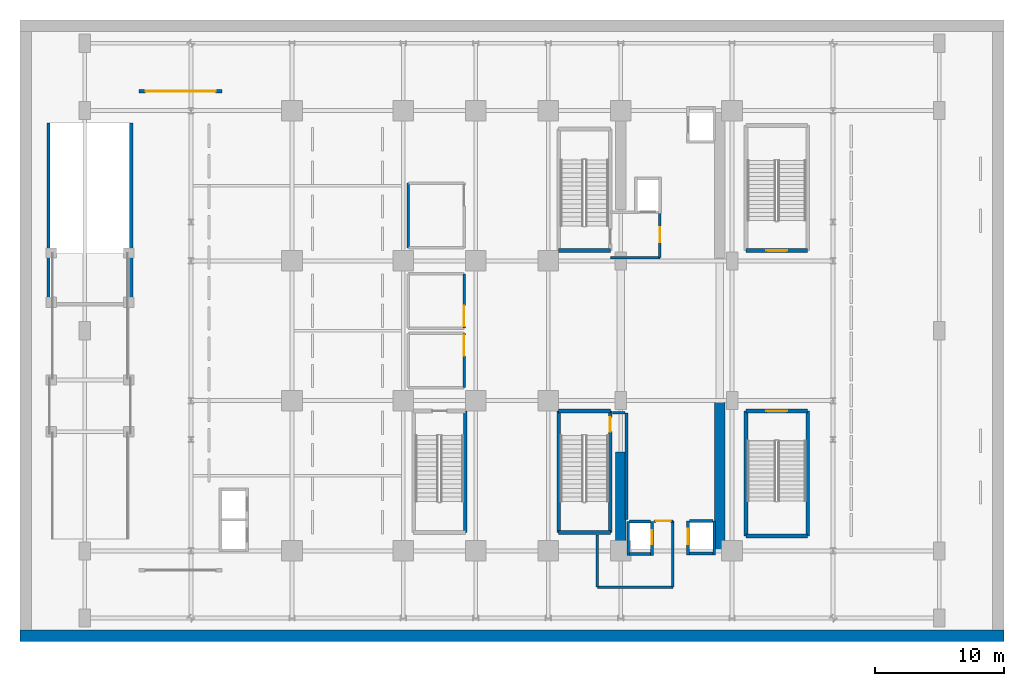
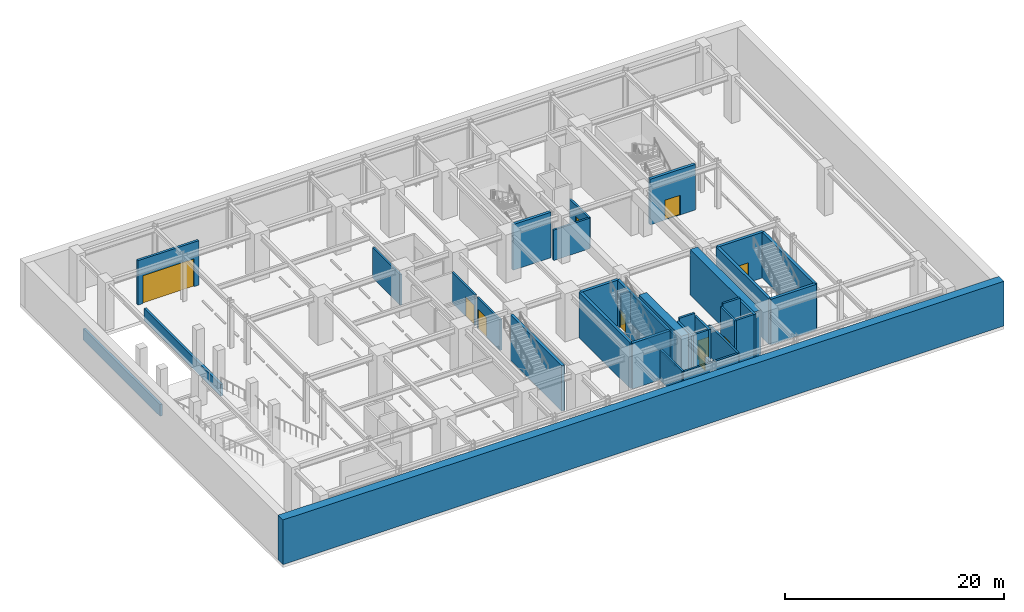
# One storey, part 6 of 10: 36 walls, 10 doors, 10 openings.
"""IFC4 building model written with IfcOpenShell, lengths in metres."""

from ifc_helpers import new_model, si_unit, direction, frame, frame_2d, origin, place, context, subcontext, project, spatial, rectangle, extrude, source, transform, mapped, material, layer, layer_set, type_object, element, fill, save


model = new_model("IFC4")

# Units and contexts
model_context = context("Model", 3, precision=1e-05, world=origin(), true_north=direction((0.0, 1.0)))
body_context = subcontext(model_context, "Body", "Model", "MODEL_VIEW")
ifc_project = project(units=[si_unit("LENGTHUNIT", "METRE"), si_unit("AREAUNIT", "SQUARE_METRE"), si_unit("VOLUMEUNIT", "CUBIC_METRE"), si_unit("PLANEANGLEUNIT", "RADIAN"), si_unit("MASSUNIT", "GRAM", prefix="KILO")], contexts=[model_context])

# Site, building, storey
site_placement = place(None, origin())
site = spatial("IfcSite", under=ifc_project, at=site_placement, CompositionType="ELEMENT")
building_placement = place(site_placement, origin())
building = spatial("IfcBuilding", under=site, at=building_placement, Name="Nahalor Promenade Grand Hotel", CompositionType="ELEMENT")
storey_placement = place(building_placement, frame((0.0, 0.0, -5.39990234375)))
storey = spatial("IfcBuildingStorey", under=building, at=storey_placement, Name="B01", CompositionType="ELEMENT", Elevation=-5.39990234375)

# Walls
ifc_material_1 = material(Name="Concrete B-50 (C40/50)", Category="concrete")
ifc_layer_1 = layer(ifc_material_1, 0.89990234375)
ifc_layer_set_1 = layer_set([ifc_layer_1], Name="Concrete B-50 (C40/50)")
wall_type_1 = type_object("IfcWallType", Name="Wall-Diaphragm-900", PredefinedType="SHEAR", material=ifc_layer_set_1)
shared_shape_1 = source(origin(), body_context, "Body", "SweptSolid", [
    extrude(rectangle(XDim=76.0, YDim=0.89990234375, at=frame_2d((38.0, 0.0))), origin(), (0.0, 0.0, 1.0), 4.97998046875),
])
wall_1_placement = place(storey_placement, frame((-38.0, -23.550048828125, 0.0), z_axis=(0.0, 0.0, 1.0), x_axis=(1.0, 0.0, 0.0)))
element("IfcWall", 1, at=wall_1_placement, inside=storey, type_object=wall_type_1, Name="DW-B01-S", PredefinedType="SHEAR", context=body_context, shape_type="MappedRepresentation", body=[
    mapped(shared_shape_1, transform((0.0, 0.0, 0.0), scale=1.0)),
])
ifc_material_2 = material(Name="Concrete B-70 (C60/75)", Category="concrete")
ifc_layer_2 = layer(ifc_material_2, 0.800048828125)
ifc_layer_set_2 = layer_set([ifc_layer_2], Name="Concrete B-70 (C60/75)")
wall_type_2 = type_object("IfcWallType", Name="Wall-CoreShear-800", PredefinedType="SHEAR", material=ifc_layer_set_2)
shared_shape_2 = source(origin(), body_context, "Body", "SweptSolid", [
    extrude(rectangle(XDim=7.64990234375, YDim=0.800048828125, at=frame_2d((3.824951171875, 0.0))), origin(), (0.0, 0.0, 1.0), 5.079833984375),
])
wall_2_placement = place(storey_placement, frame((8.39990234375, -17.0, 0.0), z_axis=(0.0, 0.0, 1.0), x_axis=(0.0, 1.0, 0.0)))
element("IfcWall", 2, at=wall_2_placement, inside=storey, type_object=wall_type_2, Name="CWALL-B01-SW", PredefinedType="SHEAR", context=body_context, shape_type="MappedRepresentation", body=[
    mapped(shared_shape_2, transform((0.0, 0.0, 0.0), scale=1.0)),
])
shared_shape_3 = source(origin(), body_context, "Body", "SweptSolid", [
    extrude(rectangle(XDim=11.60009765625, YDim=0.800048828125, at=frame_2d((5.800048828125, 0.0))), origin(), (0.0, 0.0, 1.0), 5.079833984375),
])
wall_3_placement = place(storey_placement, frame((16.050048828125, -17.0, 0.0), z_axis=(0.0, 0.0, 1.0), x_axis=(0.0, 1.0, 0.0)))
element("IfcWall", 3, at=wall_3_placement, inside=storey, type_object=wall_type_2, Name="CWALL-B01-SE", PredefinedType="SHEAR", context=body_context, shape_type="MappedRepresentation", body=[
    mapped(shared_shape_3, transform((0.0, 0.0, 0.0), scale=1.0)),
])
ifc_layer_3 = layer(ifc_material_1, 0.300048828125)
ifc_layer_set_3 = layer_set([ifc_layer_3], Name="Concrete B-50 (C40/50)")
wall_type_3 = type_object("IfcWallType", Name="Wall-ShaftShear-300", PredefinedType="SHEAR", material=ifc_layer_set_3)
shared_shape_4 = source(origin(), body_context, "Body", "SweptSolid", [
    extrude(rectangle(XDim=3.97998046875, YDim=0.300048828125, at=frame_2d((1.989990234375, 0.0))), origin(), (0.0, 0.0, 1.0), 5.079833984375),
])
for number, where, z_axis, x_axis, name in (
    (4, (3.610107421875, 6.2099609375, 0.0), (0.0, 0.0, 1.0), (1.0, 0.0, 0.0), "B01 Exit Stair ST1 Shaft Wall S"),
    (5, (3.610107421875, -15.590087890625, 0.0), (0.0, 0.0, 1.0), (1.0, 0.0, 0.0), "B01 Exit Stair ST2 Shaft Wall S"),
    (6, (3.610107421875, -6.2099609375, 0.0), (0.0, 0.0, 1.0), (1.0, 0.0, 0.0), "B01 Exit Stair ST2 Shaft Wall N"),
):
    element("IfcWall", number, at=place(storey_placement, frame(where, z_axis=z_axis, x_axis=x_axis)), inside=storey, type_object=wall_type_3, Name=name, PredefinedType="SHEAR", context=body_context, shape_type="MappedRepresentation", body=[
        mapped(shared_shape_4, transform((0.0, 0.0, 0.0), scale=1.0)),
    ])
shared_shape_5 = source(origin(), body_context, "Body", "SweptSolid", [
    extrude(rectangle(XDim=9.380126953125, YDim=0.300048828125, at=frame_2d((4.68994140625, 0.0))), origin(), (0.0, 0.0, 1.0), 5.079833984375),
])
wall_4_placement = place(storey_placement, frame((3.610107421875, -15.590087890625, 0.0), z_axis=(0.0, 0.0, 1.0), x_axis=(0.0, 1.0, 0.0)))
element("IfcWall", 7, at=wall_4_placement, inside=storey, type_object=wall_type_3, Name="B01 Exit Stair ST2 Shaft Wall W", PredefinedType="SHEAR", context=body_context, shape_type="MappedRepresentation", body=[
    mapped(shared_shape_5, transform((0.0, 0.0, 0.0), scale=1.0)),
])

# Wall, opening, door
wall_5_placement = place(storey_placement, frame((7.590087890625, -15.590087890625, 0.0), z_axis=(0.0, 0.0, 1.0), x_axis=(0.0, 1.0, 0.0)))
wall_5 = element("IfcWall", 8, at=wall_5_placement, inside=storey, type_object=wall_type_3, Name="B01 Exit Stair ST2 Shaft Wall E", PredefinedType="SHEAR", context=body_context, shape_type="MappedRepresentation", body=[
    mapped(shared_shape_5, transform((0.0, 0.0, 0.0), scale=1.0)),
])
opening_1_placement = place(wall_5_placement, frame((7.7900390625, 0.0, 0.0)))
opening_1 = element("IfcOpeningElement", 9, at=opening_1_placement, cuts=wall_5, Name="Opening D-ST1", PredefinedType="OPENING", context=body_context, shape_type="SweptSolid", body=[
    extrude(rectangle(XDim=1.10009765625, YDim=2.14990234375, at=frame_2d((0.550048828125, 1.074951171875))), frame((0.0, 0.159912109375, 0.0), z_axis=(0.0, -1.0, 0.0), x_axis=(1.0, 0.0, 0.0)), (0.0, 0.0, 1.0), 0.320068359375),
])
ifc_material_3 = material(Name="Steel S355JR", Category="steel")
door_type_1 = type_object("IfcDoorType", Name="Door-StairFire-1100", OperationType="NOTDEFINED", PredefinedType="DOOR", material=ifc_material_3)
shared_shape_6 = source(origin(), body_context, "Body", "SweptSolid", [
    extrude(rectangle(XDim=1.10009765625, YDim=2.14990234375, at=frame_2d((0.550048828125, 1.074951171875))), frame((0.0, 0.02490234375, 0.0), z_axis=(0.0, -1.0, 0.0), x_axis=(1.0, 0.0, 0.0)), (0.0, 0.0, 1.0), 0.050048828125),
])
door_1_placement = place(opening_1_placement, origin())
door_1 = element("IfcDoor", 10, at=door_1_placement, inside=storey, type_object=door_type_1, Name="DR-STAIR-ST2-B01", OperationType="SINGLE_SWING_RIGHT", OverallHeight=2.14990234375, OverallWidth=1.10009765625, PredefinedType="DOOR", context=body_context, shape_type="MappedRepresentation", body=[
    mapped(shared_shape_6, transform((0.0, 0.0, 0.0), scale=1.0)),
])
fill(opening_1, door_1)

# Wall
wall_6_placement = place(storey_placement, frame((-3.610107421875, -15.590087890625, 0.0), z_axis=(0.0, 0.0, 1.0), x_axis=(0.0, 1.0, 0.0)))
element("IfcWall", 11, at=wall_6_placement, inside=storey, type_object=wall_type_3, Name="B01 Exit Stair ST3 Shaft Wall E", PredefinedType="SHEAR", context=body_context, shape_type="MappedRepresentation", body=[
    mapped(shared_shape_5, transform((0.0, 0.0, 0.0), scale=1.0)),
])

# Wall, opening, door
shared_shape_7 = source(origin(), body_context, "Body", "SweptSolid", [
    extrude(rectangle(XDim=4.780029296875, YDim=0.300048828125, at=frame_2d((2.39013671875, 0.0))), origin(), (0.0, 0.0, 1.0), 5.079833984375),
])
wall_7_placement = place(storey_placement, frame((18.06005859375, 6.2099609375, 0.0), z_axis=(0.0, 0.0, 1.0), x_axis=(1.0, 0.0, 0.0)))
wall_7 = element("IfcWall", 12, at=wall_7_placement, inside=storey, type_object=wall_type_3, Name="B01 Exit Stair ST4 Shaft Wall S", PredefinedType="SHEAR", context=body_context, shape_type="MappedRepresentation", body=[
    mapped(shared_shape_7, transform((0.0, 0.0, 0.0), scale=1.0)),
])
opening_2_placement = place(wall_7_placement, frame((1.590087890625, 0.0, 0.0)))
opening_2 = element("IfcOpeningElement", 13, at=opening_2_placement, cuts=wall_7, Name="Opening D-ST2", PredefinedType="OPENING", context=body_context, shape_type="SweptSolid", body=[
    extrude(rectangle(XDim=1.60009765625, YDim=2.199951171875, at=frame_2d((0.800048828125, 1.10009765625))), frame((0.0, 0.159912109375, 0.0), z_axis=(0.0, -1.0, 0.0), x_axis=(1.0, 0.0, 0.0)), (0.0, 0.0, 1.0), 0.320068359375),
])
door_type_2 = type_object("IfcDoorType", Name="Door-StairGrand-1600", OperationType="DOUBLE_DOOR_SINGLE_SWING", PredefinedType="DOOR", material=ifc_material_3)
shared_shape_8 = source(origin(), body_context, "Body", "SweptSolid", [
    extrude(rectangle(XDim=1.60009765625, YDim=2.199951171875, at=frame_2d((0.800048828125, 1.10009765625))), frame((0.0, 0.02490234375, 0.0), z_axis=(0.0, -1.0, 0.0), x_axis=(1.0, 0.0, 0.0)), (0.0, 0.0, 1.0), 0.050048828125),
])
door_2_placement = place(opening_2_placement, origin())
door_2 = element("IfcDoor", 14, at=door_2_placement, inside=storey, type_object=door_type_2, Name="DR-STAIR-ST4-B01", OperationType="DOUBLE_DOOR_SINGLE_SWING", OverallHeight=2.199951171875, OverallWidth=1.60009765625, PredefinedType="DOOR", context=body_context, shape_type="MappedRepresentation", body=[
    mapped(shared_shape_8, transform((0.0, 0.0, 0.0), scale=1.0)),
])
fill(opening_2, door_2)

# Wall
wall_8_placement = place(storey_placement, frame((18.06005859375, -15.840087890625, 0.0), z_axis=(0.0, 0.0, 1.0), x_axis=(1.0, 0.0, 0.0)))
element("IfcWall", 15, at=wall_8_placement, inside=storey, type_object=wall_type_3, Name="B01 Exit Stair ST5 Shaft Wall S", PredefinedType="SHEAR", context=body_context, shape_type="MappedRepresentation", body=[
    mapped(shared_shape_7, transform((0.0, 0.0, 0.0), scale=1.0)),
])

# Wall, opening, door
wall_9_placement = place(storey_placement, frame((18.06005859375, -6.2099609375, 0.0), z_axis=(0.0, 0.0, 1.0), x_axis=(1.0, 0.0, 0.0)))
wall_9 = element("IfcWall", 16, at=wall_9_placement, inside=storey, type_object=wall_type_3, Name="B01 Exit Stair ST5 Shaft Wall N", PredefinedType="SHEAR", context=body_context, shape_type="MappedRepresentation", body=[
    mapped(shared_shape_7, transform((0.0, 0.0, 0.0), scale=1.0)),
])
opening_3_placement = place(wall_9_placement, frame((1.590087890625, 0.0, 0.0)))
opening_3 = element("IfcOpeningElement", 17, at=opening_3_placement, cuts=wall_9, Name="Opening D-ST2", PredefinedType="OPENING", context=body_context, shape_type="SweptSolid", body=[
    extrude(rectangle(XDim=1.60009765625, YDim=2.199951171875, at=frame_2d((0.800048828125, 1.10009765625))), frame((0.0, 0.159912109375, 0.0), z_axis=(0.0, -1.0, 0.0), x_axis=(1.0, 0.0, 0.0)), (0.0, 0.0, 1.0), 0.320068359375),
])
door_3_placement = place(opening_3_placement, frame((1.60009765625, 0.0, 0.0), z_axis=(0.0, 0.0, 1.0), x_axis=(-1.0, 0.0, 0.0)))
door_3 = element("IfcDoor", 18, at=door_3_placement, inside=storey, type_object=door_type_2, Name="DR-STAIR-ST5-B01", OperationType="DOUBLE_DOOR_SINGLE_SWING", OverallHeight=2.199951171875, OverallWidth=1.60009765625, PredefinedType="DOOR", context=body_context, shape_type="MappedRepresentation", body=[
    mapped(shared_shape_8, transform((0.0, 0.0, 0.0), scale=1.0)),
])
fill(opening_3, door_3)

# Walls
shared_shape_9 = source(origin(), body_context, "Body", "SweptSolid", [
    extrude(rectangle(XDim=9.630126953125, YDim=0.300048828125, at=frame_2d((4.81494140625, 0.0))), origin(), (0.0, 0.0, 1.0), 5.079833984375),
])
for number, where, z_axis, x_axis, name in (
    (19, (18.06005859375, -15.840087890625, 0.0), (0.0, 0.0, 1.0), (0.0, 1.0, 0.0), "B01 Exit Stair ST5 Shaft Wall W"),
    (20, (22.840087890625, -15.840087890625, 0.0), (0.0, 0.0, 1.0), (0.0, 1.0, 0.0), "B01 Exit Stair ST5 Shaft Wall E"),
):
    element("IfcWall", number, at=place(storey_placement, frame(where, z_axis=z_axis, x_axis=x_axis)), inside=storey, type_object=wall_type_3, Name=name, PredefinedType="SHEAR", context=body_context, shape_type="MappedRepresentation", body=[
        mapped(shared_shape_9, transform((0.0, 0.0, 0.0), scale=1.0)),
    ])
ifc_layer_4 = layer(ifc_material_1, 0.219970703125)
ifc_layer_set_4 = layer_set([ifc_layer_4], Name="Concrete B-50 (C40/50)")
wall_type_4 = type_object("IfcWallType", Name="Wall-LiftShaft-220", PredefinedType="SHEAR", material=ifc_layer_set_4)
shared_shape_10 = source(origin(), body_context, "Body", "SweptSolid", [
    extrude(rectangle(XDim=1.820068359375, YDim=0.219970703125, at=frame_2d((0.91015625, 0.0))), origin(), (0.0, 0.0, 1.0), 5.39990234375),
])
wall_10_placement = place(storey_placement, frame((13.68994140625, -14.699951171875, 0.0), z_axis=(0.0, 0.0, 1.0), x_axis=(1.0, 0.0, 0.0)))
element("IfcWall", 21, at=wall_10_placement, inside=storey, type_object=wall_type_4, Name="B01 Lift SV2 Hoistway Wall N", PredefinedType="SHEAR", context=body_context, shape_type="MappedRepresentation", body=[
    mapped(shared_shape_10, transform((0.0, 0.0, 0.0), scale=1.0)),
])
shared_shape_11 = source(origin(), body_context, "Body", "SweptSolid", [
    extrude(rectangle(XDim=2.635009765625, YDim=0.219970703125, at=frame_2d((1.3173828125, 0.0))), origin(), (0.0, 0.0, 1.0), 5.079833984375),
])
wall_11_placement = place(storey_placement, frame((8.97998046875, -17.360107421875, 0.0), z_axis=(0.0, 0.0, 1.0), x_axis=(0.0, 1.0, 0.0)))
element("IfcWall", 22, at=wall_11_placement, inside=storey, type_object=wall_type_4, Name="B01 Lift FL2 Hoistway Wall W", PredefinedType="SHEAR", context=body_context, shape_type="MappedRepresentation", body=[
    mapped(shared_shape_11, transform((0.0, 0.0, 0.0), scale=1.0)),
])

# Wall, opening, door
wall_12_placement = place(storey_placement, frame((10.820068359375, -17.360107421875, 0.0), z_axis=(0.0, 0.0, 1.0), x_axis=(0.0, 1.0, 0.0)))
wall_12 = element("IfcWall", 23, at=wall_12_placement, inside=storey, type_object=wall_type_4, Name="B01 Lift FL2 Hoistway Wall E", PredefinedType="SHEAR", context=body_context, shape_type="MappedRepresentation", body=[
    mapped(shared_shape_11, transform((0.0, 0.0, 0.0), scale=1.0)),
])
opening_4_placement = place(wall_12_placement, frame((0.860107421875, 0.0, 0.0)))
opening_4 = element("IfcOpeningElement", 24, at=opening_4_placement, cuts=wall_12, Name="Opening LD-02", PredefinedType="OPENING", context=body_context, shape_type="SweptSolid", body=[
    extrude(rectangle(XDim=1.10009765625, YDim=2.199951171875, at=frame_2d((0.550048828125, 1.10009765625))), frame((0.0, 0.119873046875, 0.0), z_axis=(0.0, -1.0, 0.0), x_axis=(1.0, 0.0, 0.0)), (0.0, 0.0, 1.0), 0.239990234375),
])
door_type_3 = type_object("IfcDoorType", Name="Door-LiftFF-1100", OperationType="DOUBLE_DOOR_SLIDING", PredefinedType="DOOR", material=ifc_material_3)
shared_shape_12 = source(origin(), body_context, "Body", "SweptSolid", [
    extrude(rectangle(XDim=1.10009765625, YDim=2.199951171875, at=frame_2d((0.550048828125, 1.10009765625))), frame((0.0, 0.02490234375, 0.0), z_axis=(0.0, -1.0, 0.0), x_axis=(1.0, 0.0, 0.0)), (0.0, 0.0, 1.0), 0.050048828125),
])
door_4_placement = place(opening_4_placement, frame((1.10009765625, 0.0, 0.0), z_axis=(0.0, 0.0, 1.0), x_axis=(-1.0, 0.0, 0.0)))
door_4 = element("IfcDoor", 25, at=door_4_placement, inside=storey, type_object=door_type_3, Name="DR-LIFT-FL2-B01", OperationType="DOUBLE_DOOR_SLIDING", OverallHeight=2.199951171875, OverallWidth=1.10009765625, PredefinedType="DOOR", context=body_context, shape_type="MappedRepresentation", body=[
    mapped(shared_shape_12, transform((0.0, 0.0, 0.0), scale=1.0)),
])
fill(opening_4, door_4)

# Walls
shared_shape_13 = source(origin(), body_context, "Body", "SweptSolid", [
    extrude(rectangle(XDim=1.619873046875, YDim=0.219970703125, at=frame_2d((0.81005859375, 0.0))), origin(), (0.0, 0.0, 1.0), 5.079833984375),
])
wall_13_placement = place(storey_placement, frame((9.090087890625, -17.25, 0.0), z_axis=(0.0, 0.0, 1.0), x_axis=(1.0, 0.0, 0.0)))
element("IfcWall", 26, at=wall_13_placement, inside=storey, type_object=wall_type_4, Name="B01 Lift FL2 Hoistway Wall S", PredefinedType="SHEAR", context=body_context, shape_type="MappedRepresentation", body=[
    mapped(shared_shape_13, transform((0.0, 0.0, 0.0), scale=1.0)),
])
shared_shape_14 = source(origin(), body_context, "Body", "SweptSolid", [
    extrude(rectangle(XDim=1.619873046875, YDim=0.219970703125, at=frame_2d((0.81005859375, 0.0))), origin(), (0.0, 0.0, 1.0), 5.39990234375),
])
wall_14_placement = place(storey_placement, frame((9.090087890625, -14.72509765625, 0.0), z_axis=(0.0, 0.0, 1.0), x_axis=(1.0, 0.0, 0.0)))
element("IfcWall", 27, at=wall_14_placement, inside=storey, type_object=wall_type_4, Name="B01 Lift FL2 Hoistway Wall N", PredefinedType="SHEAR", context=body_context, shape_type="MappedRepresentation", body=[
    mapped(shared_shape_14, transform((0.0, 0.0, 0.0), scale=1.0)),
])
shared_shape_15 = source(origin(), body_context, "Body", "SweptSolid", [
    extrude(rectangle(XDim=1.820068359375, YDim=0.219970703125, at=frame_2d((0.91015625, 0.0))), origin(), (0.0, 0.0, 1.0), 5.079833984375),
])
wall_15_placement = place(storey_placement, frame((13.68994140625, -17.199951171875, 0.0), z_axis=(0.0, 0.0, 1.0), x_axis=(1.0, 0.0, 0.0)))
element("IfcWall", 28, at=wall_15_placement, inside=storey, type_object=wall_type_4, Name="B01 Lift SV2 Hoistway Wall S", PredefinedType="SHEAR", context=body_context, shape_type="MappedRepresentation", body=[
    mapped(shared_shape_15, transform((0.0, 0.0, 0.0), scale=1.0)),
])

# Wall, opening, door
shared_shape_16 = source(origin(), body_context, "Body", "SweptSolid", [
    extrude(rectangle(XDim=2.610107421875, YDim=0.219970703125, at=frame_2d((1.30517578125, 0.0))), origin(), (0.0, 0.0, 1.0), 5.079833984375),
])
wall_16_placement = place(storey_placement, frame((13.580078125, -17.31005859375, 0.0), z_axis=(0.0, 0.0, 1.0), x_axis=(0.0, 1.0, 0.0)))
wall_16 = element("IfcWall", 29, at=wall_16_placement, inside=storey, type_object=wall_type_4, Name="B01 Lift SV2 Hoistway Wall W", PredefinedType="SHEAR", context=body_context, shape_type="MappedRepresentation", body=[
    mapped(shared_shape_16, transform((0.0, 0.0, 0.0), scale=1.0)),
])
opening_5_placement = place(wall_16_placement, frame((0.81005859375, 0.0, 0.0)))
opening_5 = element("IfcOpeningElement", 30, at=opening_5_placement, cuts=wall_16, Name="Opening LD-03", PredefinedType="OPENING", context=body_context, shape_type="SweptSolid", body=[
    extrude(rectangle(XDim=1.199951171875, YDim=2.199951171875, at=frame_2d((0.60009765625, 1.10009765625))), frame((0.0, 0.119873046875, 0.0), z_axis=(0.0, -1.0, 0.0), x_axis=(1.0, 0.0, 0.0)), (0.0, 0.0, 1.0), 0.239990234375),
])
door_type_4 = type_object("IfcDoorType", Name="Door-LiftService-1200", OperationType="DOUBLE_DOOR_SLIDING", PredefinedType="DOOR", material=ifc_material_3)
shared_shape_17 = source(origin(), body_context, "Body", "SweptSolid", [
    extrude(rectangle(XDim=1.199951171875, YDim=2.199951171875, at=frame_2d((0.60009765625, 1.10009765625))), frame((0.0, 0.02490234375, 0.0), z_axis=(0.0, -1.0, 0.0), x_axis=(1.0, 0.0, 0.0)), (0.0, 0.0, 1.0), 0.050048828125),
])
door_5_placement = place(opening_5_placement, origin())
door_5 = element("IfcDoor", 31, at=door_5_placement, inside=storey, type_object=door_type_4, Name="DR-LIFT-SV2-B01", OperationType="DOUBLE_DOOR_SLIDING", OverallHeight=2.199951171875, OverallWidth=1.199951171875, PredefinedType="DOOR", context=body_context, shape_type="MappedRepresentation", body=[
    mapped(shared_shape_17, transform((0.0, 0.0, 0.0), scale=1.0)),
])
fill(opening_5, door_5)

# Walls
wall_17_placement = place(storey_placement, frame((15.6201171875, -17.31005859375, 0.0), z_axis=(0.0, 0.0, 1.0), x_axis=(0.0, 1.0, 0.0)))
element("IfcWall", 32, at=wall_17_placement, inside=storey, type_object=wall_type_4, Name="B01 Lift SV2 Hoistway Wall E", PredefinedType="SHEAR", context=body_context, shape_type="MappedRepresentation", body=[
    mapped(shared_shape_16, transform((0.0, 0.0, 0.0), scale=1.0)),
])
ifc_layer_5 = layer(ifc_material_1, 0.25)
ifc_layer_set_5 = layer_set([ifc_layer_5], Name="Concrete B-50 (C40/50)")
wall_type_5 = type_object("IfcWallType", Name="Wall-RampKerb-250", PredefinedType="PARTITIONING", material=ifc_layer_set_5)
shared_shape_18 = source(origin(), body_context, "Body", "SweptSolid", [
    extrude(rectangle(XDim=14.0, YDim=0.25, at=frame_2d((7.0, 0.0))), origin(), (0.0, 0.0, 1.0), 1.2998046875),
])
for number, where, z_axis, x_axis, name in (
    (33, (-35.800048828125, 2.050048828125, 0.0), (0.0, 0.0, 1.0), (0.0, 1.0, 0.0), "W-RWELL-B01-W"),
    (34, (-29.39990234375, 2.050048828125, 0.0), (0.0, 0.0, 1.0), (0.0, 1.0, 0.0), "W-RWELL-B01-E"),
):
    element("IfcWall", number, at=place(storey_placement, frame(where, z_axis=z_axis, x_axis=x_axis)), inside=storey, type_object=wall_type_5, Name=name, PredefinedType="PARTITIONING", context=body_context, shape_type="MappedRepresentation", body=[
        mapped(shared_shape_18, transform((0.0, 0.0, 0.0), scale=1.0)),
    ])

# Wall, opening, door
shared_shape_19 = source(origin(), body_context, "Body", "SweptSolid", [
    extrude(rectangle(XDim=6.400146484375, YDim=0.25, at=frame_2d((3.2001953125, 0.0))), origin(), (0.0, 0.0, 1.0), 4.949951171875),
])
wall_18_placement = place(storey_placement, frame((-28.800048828125, 18.5, 0.0), z_axis=(0.0, 0.0, 1.0), x_axis=(1.0, 0.0, 0.0)))
wall_18 = element("IfcWall", 35, at=wall_18_placement, inside=storey, type_object=wall_type_5, Name="B01 Car Park Smoke Compartment Wall 4", PredefinedType="PARTITIONING", context=body_context, shape_type="MappedRepresentation", body=[
    mapped(shared_shape_19, transform((0.0, 0.0, 0.0), scale=1.0)),
])
opening_6_placement = place(wall_18_placement, frame((0.5, 0.0, 0.0)))
opening_6 = element("IfcOpeningElement", 36, at=opening_6_placement, cuts=wall_18, Name="Opening RG-01", PredefinedType="OPENING", context=body_context, shape_type="SweptSolid", body=[
    extrude(rectangle(XDim=5.39990234375, YDim=3.10009765625, at=frame_2d((2.699951171875, 1.550048828125))), frame((0.0, 0.135009765625, 0.0), z_axis=(0.0, -1.0, 0.0), x_axis=(1.0, 0.0, 0.0)), (0.0, 0.0, 1.0), 0.27001953125),
])
door_type_5 = type_object("IfcDoorType", Name="Door-BasementGate-5400", OperationType="ROLLINGUP", PredefinedType="GATE", material=ifc_material_3)
shared_shape_20 = source(origin(), body_context, "Body", "SweptSolid", [
    extrude(rectangle(XDim=5.39990234375, YDim=3.10009765625, at=frame_2d((2.699951171875, 1.550048828125))), frame((0.0, 0.02490234375, 0.0), z_axis=(0.0, -1.0, 0.0), x_axis=(1.0, 0.0, 0.0)), (0.0, 0.0, 1.0), 0.050048828125),
])
door_6_placement = place(opening_6_placement, origin())
door_6 = element("IfcDoor", 37, at=door_6_placement, inside=storey, type_object=door_type_5, Name="DR-BGATE-B01-4", OperationType="ROLLINGUP", OverallHeight=3.10009765625, OverallWidth=5.39990234375, PredefinedType="GATE", context=body_context, shape_type="MappedRepresentation", body=[
    mapped(shared_shape_20, transform((0.0, 0.0, 0.0), scale=1.0)),
])
fill(opening_6, door_6)

# Wall
ifc_material_4 = material(Name="Concrete B-40 (C32/40)", Category="concrete")
ifc_layer_6 = layer(ifc_material_4, 0.199951171875)
ifc_layer_set_6 = layer_set([ifc_layer_6], Name="Concrete B-40 (C32/40)")
wall_type_6 = type_object("IfcWallType", Name="Wall-PartFire-200", PredefinedType="PARTITIONING", material=ifc_layer_set_6)
shared_shape_21 = source(origin(), body_context, "Body", "SweptSolid", [
    extrude(rectangle(XDim=3.81982421875, YDim=0.199951171875, at=frame_2d((1.909912109375, 0.0))), origin(), (0.0, 0.0, 1.0), 3.39990234375),
])
wall_19_placement = place(storey_placement, frame((7.60009765625, 5.64990234375, 0.0), z_axis=(0.0, 0.0, 1.0), x_axis=(1.0, 0.0, 0.0)))
element("IfcWall", 38, at=wall_19_placement, inside=storey, type_object=wall_type_6, Name="W-B01-FF1-S", PredefinedType="PARTITIONING", context=body_context, shape_type="MappedRepresentation", body=[
    mapped(shared_shape_21, transform((0.0, 0.0, 0.0), scale=1.0)),
])

# Wall, opening, door
shared_shape_22 = source(origin(), body_context, "Body", "SweptSolid", [
    extrude(rectangle(XDim=3.5, YDim=0.199951171875, at=frame_2d((1.75, 0.0))), origin(), (0.0, 0.0, 1.0), 3.39990234375),
])
wall_20_placement = place(storey_placement, frame((11.419921875, 5.64990234375, 0.0), z_axis=(0.0, 0.0, 1.0), x_axis=(0.0, 1.0, 0.0)))
wall_20 = element("IfcWall", 39, at=wall_20_placement, inside=storey, type_object=wall_type_6, Name="W-B01-FF1-E", PredefinedType="PARTITIONING", context=body_context, shape_type="MappedRepresentation", body=[
    mapped(shared_shape_22, transform((0.0, 0.0, 0.0), scale=1.0)),
])
opening_7_placement = place(wall_20_placement, frame((1.175048828125, 0.0, 0.0)))
opening_7 = element("IfcOpeningElement", 40, at=opening_7_placement, cuts=wall_20, Name="Opening D-FF1", PredefinedType="OPENING", context=body_context, shape_type="SweptSolid", body=[
    extrude(rectangle(XDim=1.14990234375, YDim=2.14990234375, at=frame_2d((0.574951171875, 1.074951171875))), frame((0.0, 0.10986328125, 0.0), z_axis=(0.0, -1.0, 0.0), x_axis=(1.0, 0.0, 0.0)), (0.0, 0.0, 1.0), 0.219970703125),
])
door_type_6 = type_object("IfcDoorType", Name="Door-FFLobby-1150", OperationType="NOTDEFINED", PredefinedType="DOOR", material=ifc_material_3)
shared_shape_23 = source(origin(), body_context, "Body", "SweptSolid", [
    extrude(rectangle(XDim=1.14990234375, YDim=2.14990234375, at=frame_2d((0.574951171875, 1.074951171875))), frame((0.0, 0.02490234375, 0.0), z_axis=(0.0, -1.0, 0.0), x_axis=(1.0, 0.0, 0.0)), (0.0, 0.0, 1.0), 0.050048828125),
])
door_7_placement = place(opening_7_placement, frame((1.14990234375, 0.0, 0.0), z_axis=(0.0, 0.0, 1.0), x_axis=(-1.0, 0.0, 0.0)))
door_7 = element("IfcDoor", 41, at=door_7_placement, inside=storey, type_object=door_type_6, Name="DR-B01-FFL1", OperationType="SINGLE_SWING_RIGHT", OverallHeight=2.14990234375, OverallWidth=1.14990234375, PredefinedType="DOOR", context=body_context, shape_type="MappedRepresentation", body=[
    mapped(shared_shape_23, transform((0.0, 0.0, 0.0), scale=1.0)),
])
fill(opening_7, door_7)

# Walls
shared_shape_24 = source(origin(), body_context, "Body", "SweptSolid", [
    extrude(rectangle(XDim=5.81982421875, YDim=0.199951171875, at=frame_2d((2.909912109375, 0.0))), origin(), (0.0, 0.0, 1.0), 3.39990234375),
])
wall_21_placement = place(storey_placement, frame((6.60009765625, -19.800048828125, 0.0), z_axis=(0.0, 0.0, 1.0), x_axis=(1.0, 0.0, 0.0)))
element("IfcWall", 42, at=wall_21_placement, inside=storey, type_object=wall_type_6, Name="W-B01-FF2-S1", PredefinedType="PARTITIONING", context=body_context, shape_type="MappedRepresentation", body=[
    mapped(shared_shape_24, transform((0.0, 0.0, 0.0), scale=1.0)),
])
shared_shape_25 = source(origin(), body_context, "Body", "SweptSolid", [
    extrude(rectangle(XDim=4.030029296875, YDim=0.199951171875, at=frame_2d((2.01513671875, 0.0))), origin(), (0.0, 0.0, 1.0), 3.39990234375),
])
wall_22_placement = place(storey_placement, frame((6.60009765625, -19.800048828125, 0.0), z_axis=(0.0, 0.0, 1.0), x_axis=(0.0, 1.0, 0.0)))
element("IfcWall", 43, at=wall_22_placement, inside=storey, type_object=wall_type_6, Name="W-B01-FF2-W1", PredefinedType="PARTITIONING", context=body_context, shape_type="MappedRepresentation", body=[
    mapped(shared_shape_25, transform((0.0, 0.0, 0.0), scale=1.0)),
])
shared_shape_26 = source(origin(), body_context, "Body", "SweptSolid", [
    extrude(rectangle(XDim=5.10009765625, YDim=0.199951171875, at=frame_2d((2.550048828125, 0.0))), origin(), (0.0, 0.0, 1.0), 3.39990234375),
])
wall_23_placement = place(storey_placement, frame((12.419921875, -19.800048828125, 0.0), z_axis=(0.0, 0.0, 1.0), x_axis=(0.0, 1.0, 0.0)))
element("IfcWall", 44, at=wall_23_placement, inside=storey, type_object=wall_type_6, Name="W-B01-FF2-E", PredefinedType="PARTITIONING", context=body_context, shape_type="MappedRepresentation", body=[
    mapped(shared_shape_26, transform((0.0, 0.0, 0.0), scale=1.0)),
])

# Wall, opening, door
shared_shape_27 = source(origin(), body_context, "Body", "SweptSolid", [
    extrude(rectangle(XDim=1.4599609375, YDim=0.199951171875, at=frame_2d((0.72998046875, 0.0))), origin(), (0.0, 0.0, 1.0), 3.39990234375),
])
wall_24_placement = place(storey_placement, frame((10.9599609375, -14.699951171875, 0.0), z_axis=(0.0, 0.0, 1.0), x_axis=(1.0, 0.0, 0.0)))
wall_24 = element("IfcWall", 45, at=wall_24_placement, inside=storey, type_object=wall_type_6, Name="W-B01-FF2-N1", PredefinedType="PARTITIONING", context=body_context, shape_type="MappedRepresentation", body=[
    mapped(shared_shape_27, transform((0.0, 0.0, 0.0), scale=1.0)),
])
opening_8_placement = place(wall_24_placement, frame((0.14501953125, 0.0, 0.0)))
opening_8 = element("IfcOpeningElement", 46, at=opening_8_placement, cuts=wall_24, Name="Opening D-FF1", PredefinedType="OPENING", context=body_context, shape_type="SweptSolid", body=[
    extrude(rectangle(XDim=1.14990234375, YDim=2.14990234375, at=frame_2d((0.574951171875, 1.074951171875))), frame((0.0, 0.10986328125, 0.0), z_axis=(0.0, -1.0, 0.0), x_axis=(1.0, 0.0, 0.0)), (0.0, 0.0, 1.0), 0.219970703125),
])
door_8_placement = place(opening_8_placement, origin())
door_8 = element("IfcDoor", 47, at=door_8_placement, inside=storey, type_object=door_type_6, Name="DR-B01-FFL2", OperationType="SINGLE_SWING_LEFT", OverallHeight=2.14990234375, OverallWidth=1.14990234375, PredefinedType="DOOR", context=body_context, shape_type="MappedRepresentation", body=[
    mapped(shared_shape_23, transform((0.0, 0.0, 0.0), scale=1.0)),
])
fill(opening_8, door_8)

# Walls
shared_shape_28 = source(origin(), body_context, "Body", "SweptSolid", [
    extrude(rectangle(XDim=0.969970703125, YDim=0.199951171875, at=frame_2d((0.48486328125, 0.0))), origin(), (0.0, 0.0, 1.0), 3.39990234375),
])
wall_25_placement = place(storey_placement, frame((7.77001953125, -6.35009765625, 0.0), z_axis=(0.0, 0.0, 1.0), x_axis=(1.0, 0.0, 0.0)))
element("IfcWall", 48, at=wall_25_placement, inside=storey, type_object=wall_type_6, Name="W-B01-FF2-N2", PredefinedType="PARTITIONING", context=body_context, shape_type="MappedRepresentation", body=[
    mapped(shared_shape_28, transform((0.0, 0.0, 0.0), scale=1.0)),
])
shared_shape_29 = source(origin(), body_context, "Body", "SweptSolid", [
    extrude(rectangle(XDim=8.22998046875, YDim=0.199951171875, at=frame_2d((4.114990234375, 0.0))), origin(), (0.0, 0.0, 1.0), 3.39990234375),
])
wall_26_placement = place(storey_placement, frame((8.840087890625, -14.580078125, 0.0), z_axis=(0.0, 0.0, 1.0), x_axis=(0.0, 1.0, 0.0)))
element("IfcWall", 49, at=wall_26_placement, inside=storey, type_object=wall_type_6, Name="W-B01-FF2-M", PredefinedType="PARTITIONING", context=body_context, shape_type="MappedRepresentation", body=[
    mapped(shared_shape_29, transform((0.0, 0.0, 0.0), scale=1.0)),
])

# Wall, opening, door
shared_shape_30 = source(origin(), body_context, "Body", "SweptSolid", [
    extrude(rectangle(XDim=4.199951171875, YDim=0.199951171875, at=frame_2d((2.10009765625, 0.0))), origin(), (0.0, 0.0, 1.0), 3.39990234375),
])
wall_27_placement = place(storey_placement, frame((-3.699951171875, -4.39990234375, 0.0), z_axis=(0.0, 0.0, 1.0), x_axis=(0.0, 1.0, 0.0)))
wall_27 = element("IfcWall", 50, at=wall_27_placement, inside=storey, type_object=wall_type_6, Name="W-B01-BPL1-E", PredefinedType="PARTITIONING", context=body_context, shape_type="MappedRepresentation", body=[
    mapped(shared_shape_30, transform((0.0, 0.0, 0.0), scale=1.0)),
])
opening_9_placement = place(wall_27_placement, frame((2.4619140625, 0.0, 0.0)))
opening_9 = element("IfcOpeningElement", 51, at=opening_9_placement, cuts=wall_27, Name="Opening D-06", PredefinedType="OPENING", context=body_context, shape_type="SweptSolid", body=[
    extrude(rectangle(XDim=1.60009765625, YDim=2.14990234375, at=frame_2d((0.800048828125, 1.074951171875))), frame((0.0, 0.10986328125, 0.0), z_axis=(0.0, -1.0, 0.0), x_axis=(1.0, 0.0, 0.0)), (0.0, 0.0, 1.0), 0.219970703125),
])
door_type_7 = type_object("IfcDoorType", Name="Door-PlantDouble-1600", OperationType="DOUBLE_DOOR_SINGLE_SWING", PredefinedType="DOOR", material=ifc_material_3)
shared_shape_31 = source(origin(), body_context, "Body", "SweptSolid", [
    extrude(rectangle(XDim=1.60009765625, YDim=2.14990234375, at=frame_2d((0.800048828125, 1.074951171875))), frame((0.0, 0.02490234375, 0.0), z_axis=(0.0, -1.0, 0.0), x_axis=(1.0, 0.0, 0.0)), (0.0, 0.0, 1.0), 0.050048828125),
])
door_9_placement = place(opening_9_placement, origin())
door_9 = element("IfcDoor", 52, at=door_9_placement, inside=storey, type_object=door_type_7, Name="DR-B01-BPL1", OperationType="DOUBLE_DOOR_SINGLE_SWING", OverallHeight=2.14990234375, OverallWidth=1.60009765625, PredefinedType="DOOR", context=body_context, shape_type="MappedRepresentation", body=[
    mapped(shared_shape_31, transform((0.0, 0.0, 0.0), scale=1.0)),
])
fill(opening_9, door_9)

wall_28_placement = place(storey_placement, frame((-3.699951171875, 0.199951171875, 0.0), z_axis=(0.0, 0.0, 1.0), x_axis=(0.0, 1.0, 0.0)))
wall_28 = element("IfcWall", 53, at=wall_28_placement, inside=storey, type_object=wall_type_6, Name="W-B01-BPL2-E", PredefinedType="PARTITIONING", context=body_context, shape_type="MappedRepresentation", body=[
    mapped(shared_shape_30, transform((0.0, 0.0, 0.0), scale=1.0)),
])
opening_10_placement = place(wall_28_placement, frame((0.137939453125, 0.0, 0.0)))
opening_10 = element("IfcOpeningElement", 54, at=opening_10_placement, cuts=wall_28, Name="Opening D-06", PredefinedType="OPENING", context=body_context, shape_type="SweptSolid", body=[
    extrude(rectangle(XDim=1.60009765625, YDim=2.14990234375, at=frame_2d((0.800048828125, 1.074951171875))), frame((0.0, 0.10986328125, 0.0), z_axis=(0.0, -1.0, 0.0), x_axis=(1.0, 0.0, 0.0)), (0.0, 0.0, 1.0), 0.219970703125),
])
door_10_placement = place(opening_10_placement, origin())
door_10 = element("IfcDoor", 55, at=door_10_placement, inside=storey, type_object=door_type_7, Name="DR-B01-BPL2", OperationType="DOUBLE_DOOR_SINGLE_SWING", OverallHeight=2.14990234375, OverallWidth=1.60009765625, PredefinedType="DOOR", context=body_context, shape_type="MappedRepresentation", body=[
    mapped(shared_shape_31, transform((0.0, 0.0, 0.0), scale=1.0)),
])
fill(opening_10, door_10)

# Wall
shared_shape_32 = source(origin(), body_context, "Body", "SweptSolid", [
    extrude(rectangle(XDim=5.0, YDim=0.199951171875, at=frame_2d((2.5, 0.0))), origin(), (0.0, 0.0, 1.0), 3.39990234375),
])
wall_29_placement = place(storey_placement, frame((-8.0, 6.39990234375, 0.0), z_axis=(0.0, 0.0, 1.0), x_axis=(0.0, 1.0, 0.0)))
element("IfcWall", 56, at=wall_29_placement, inside=storey, type_object=wall_type_6, Name="W-B01-BPL3-W", PredefinedType="PARTITIONING", context=body_context, shape_type="MappedRepresentation", body=[
    mapped(shared_shape_32, transform((0.0, 0.0, 0.0), scale=1.0)),
])

save(model, "model.ifc")
